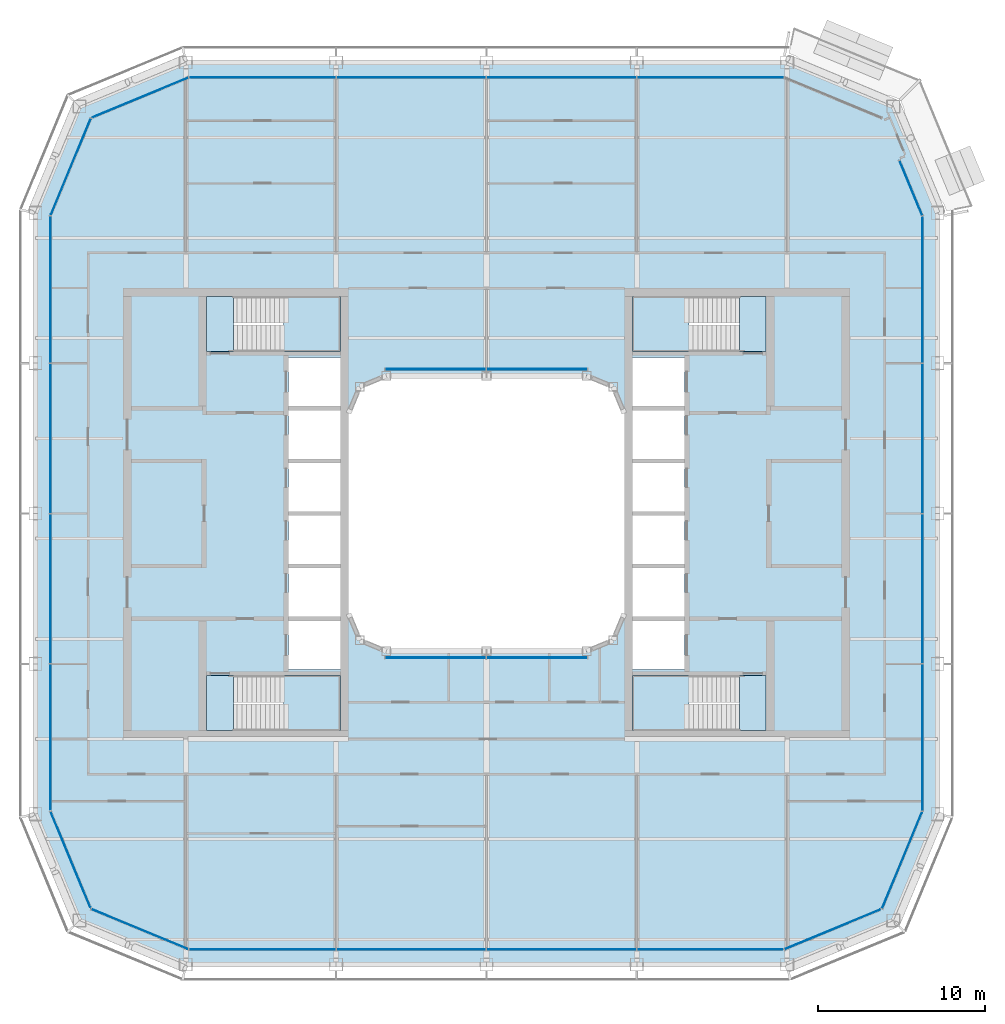
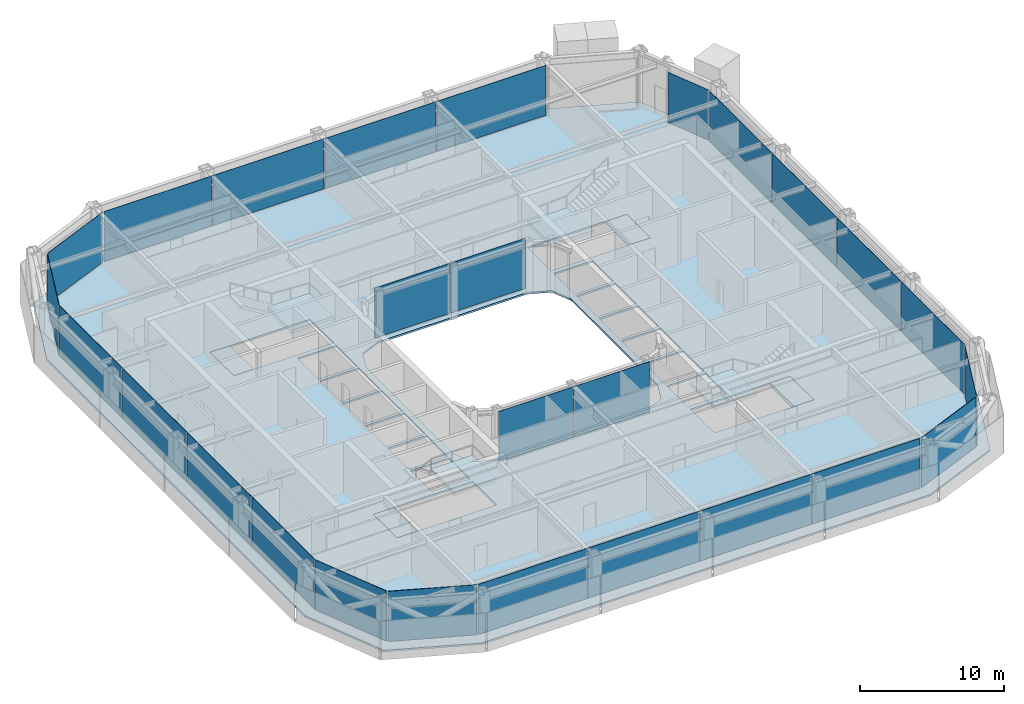
# One storey, part 11 of 23: 27 plates, 9 slabs, 17 elements without a shape of their own.
"""IFC4 building model written with IfcOpenShell, lengths in metres."""

from ifc_helpers import new_model, si_unit, direction, frame, origin, origin_2d, place, context, subcontext, project, spatial, polyline, rectangle, outline, extrude, material, layer, layer_set, type_object, element, aggregate, save


model = new_model("IFC4")

# Units and contexts
model_context = context("Model", 3, precision=1e-05, world=origin(), true_north=direction((0.0, 1.0)))
body_context = subcontext(model_context, "Body", "Model", "MODEL_VIEW")
ifc_project = project(units=[si_unit("LENGTHUNIT", "METRE"), si_unit("AREAUNIT", "SQUARE_METRE"), si_unit("VOLUMEUNIT", "CUBIC_METRE"), si_unit("PLANEANGLEUNIT", "RADIAN"), si_unit("MASSUNIT", "GRAM", prefix="KILO")], contexts=[model_context])

# Site, building, storey
site_placement = place(None, origin())
site = spatial("IfcSite", under=ifc_project, at=site_placement, CompositionType="ELEMENT")
building_placement = place(site_placement, origin())
building = spatial("IfcBuilding", under=site, at=building_placement, Name="Siwar Civic Tower", CompositionType="ELEMENT")
storey_placement = place(building_placement, frame((0.0, 0.0, 242.199951171875)))
storey = spatial("IfcBuildingStorey", under=building, at=storey_placement, Name="L52", CompositionType="ELEMENT", Elevation=242.199951171875)

# Stair, slabs
ifc_material_1 = material(Name="Concrete C40/50", Category="concrete")
stair_type = type_object("IfcStairType", Name="CORE-STAIR", PredefinedType="TWO_STRAIGHT_RUN_STAIR", material=ifc_material_1)
stair_1_placement = place(storey_placement, origin())
stair_1 = element("IfcStair", 1, at=stair_1_placement, inside=storey, type_object=stair_type, Name="Exit stair ST1", PredefinedType="TWO_STRAIGHT_RUN_STAIR")
ifc_material_2 = material(Name="Concrete C40/50", Category="concrete")
ifc_layer_1 = layer(ifc_material_2, 0.300048828125)
ifc_layer_set_1 = layer_set([ifc_layer_1], Name="Concrete C40/50")
slab_type_1 = type_object("IfcSlabType", Name="CORE-STAIR-LANDING", PredefinedType="LANDING", material=ifc_layer_set_1)
slab_1_placement = place(storey_placement, frame((0.0, 0.0, -0.300048828125)))
slab_1 = element("IfcSlab", 2, at=slab_1_placement, type_object=slab_type_1, Name="ST1 landing 1", PredefinedType="LANDING", context=body_context, shape_type="SweptSolid", body=[
    extrude(outline(polyline([(-15.14990234375, 13.0), (-16.75, 13.0), (-16.75, 9.699951171875), (-15.14990234375, 9.699951171875), (-15.14990234375, 13.0)])), origin(), (0.0, 0.0, 1.0), 0.300048828125),
])
slab_2_placement = place(storey_placement, frame((0.0, 0.0, 1.949951171875)))
slab_2 = element("IfcSlab", 3, at=slab_2_placement, type_object=slab_type_1, Name="ST1 landing 2", PredefinedType="LANDING", context=body_context, shape_type="SweptSolid", body=[
    extrude(outline(polyline([(-8.75, 13.0), (-12.139892578125, 13.0), (-12.139892578125, 9.699951171875), (-8.75, 9.699951171875), (-8.75, 13.0)])), origin(), (0.0, 0.0, 1.0), 0.300048828125),
])
aggregate(stair_1, [slab_1, slab_2])

stair_2_placement = place(storey_placement, origin())
stair_2 = element("IfcStair", 4, at=stair_2_placement, inside=storey, type_object=stair_type, Name="Exit stair ST2", PredefinedType="TWO_STRAIGHT_RUN_STAIR")
slab_3_placement = place(storey_placement, frame((0.0, 0.0, -0.300048828125)))
slab_3 = element("IfcSlab", 5, at=slab_3_placement, type_object=slab_type_1, Name="ST2 landing 1", PredefinedType="LANDING", context=body_context, shape_type="SweptSolid", body=[
    extrude(outline(polyline([(-15.14990234375, -9.699951171875), (-16.75, -9.699951171875), (-16.75, -13.0), (-15.14990234375, -13.0), (-15.14990234375, -9.699951171875)])), origin(), (0.0, 0.0, 1.0), 0.300048828125),
])
slab_4_placement = place(storey_placement, frame((0.0, 0.0, 1.949951171875)))
slab_4 = element("IfcSlab", 6, at=slab_4_placement, type_object=slab_type_1, Name="ST2 landing 2", PredefinedType="LANDING", context=body_context, shape_type="SweptSolid", body=[
    extrude(outline(polyline([(-8.75, -9.699951171875), (-12.139892578125, -9.699951171875), (-12.139892578125, -13.0), (-8.75, -13.0), (-8.75, -9.699951171875)])), origin(), (0.0, 0.0, 1.0), 0.300048828125),
])
aggregate(stair_2, [slab_3, slab_4])

stair_3_placement = place(storey_placement, origin())
stair_3 = element("IfcStair", 7, at=stair_3_placement, inside=storey, type_object=stair_type, Name="Exit stair ST3", PredefinedType="TWO_STRAIGHT_RUN_STAIR")
slab_5_placement = place(storey_placement, frame((0.0, 0.0, -0.300048828125)))
slab_5 = element("IfcSlab", 8, at=slab_5_placement, type_object=slab_type_1, Name="ST3 landing 1", PredefinedType="LANDING", context=body_context, shape_type="SweptSolid", body=[
    extrude(outline(polyline([(15.14990234375, 9.699951171875), (16.75, 9.699951171875), (16.75, 13.0), (15.14990234375, 13.0), (15.14990234375, 9.699951171875)])), origin(), (0.0, 0.0, 1.0), 0.300048828125),
])
slab_6_placement = place(storey_placement, frame((0.0, 0.0, 1.949951171875)))
slab_6 = element("IfcSlab", 9, at=slab_6_placement, type_object=slab_type_1, Name="ST3 landing 2", PredefinedType="LANDING", context=body_context, shape_type="SweptSolid", body=[
    extrude(outline(polyline([(8.75, 9.699951171875), (12.139892578125, 9.699951171875), (12.139892578125, 13.0), (8.75, 13.0), (8.75, 9.699951171875)])), origin(), (0.0, 0.0, 1.0), 0.300048828125),
])
aggregate(stair_3, [slab_5, slab_6])

stair_4_placement = place(storey_placement, origin())
stair_4 = element("IfcStair", 10, at=stair_4_placement, inside=storey, type_object=stair_type, Name="Exit stair ST4", PredefinedType="TWO_STRAIGHT_RUN_STAIR")
slab_7_placement = place(storey_placement, frame((0.0, 0.0, -0.300048828125)))
slab_7 = element("IfcSlab", 11, at=slab_7_placement, type_object=slab_type_1, Name="ST4 landing 1", PredefinedType="LANDING", context=body_context, shape_type="SweptSolid", body=[
    extrude(outline(polyline([(15.14990234375, -13.0), (16.75, -13.0), (16.75, -9.699951171875), (15.14990234375, -9.699951171875), (15.14990234375, -13.0)])), origin(), (0.0, 0.0, 1.0), 0.300048828125),
])
slab_8_placement = place(storey_placement, frame((0.0, 0.0, 1.949951171875)))
slab_8 = element("IfcSlab", 12, at=slab_8_placement, type_object=slab_type_1, Name="ST4 landing 2", PredefinedType="LANDING", context=body_context, shape_type="SweptSolid", body=[
    extrude(outline(polyline([(8.75, -13.0), (12.139892578125, -13.0), (12.139892578125, -9.699951171875), (8.75, -9.699951171875), (8.75, -13.0)])), origin(), (0.0, 0.0, 1.0), 0.300048828125),
])
aggregate(stair_4, [slab_7, slab_8])

# Curtain wall, plates
ifc_material_3 = material(Name="Aluminium and glass", Category="aluminium")
ifc_layer_2 = layer(ifc_material_3, 0.179931640625)
ifc_layer_set_2 = layer_set([ifc_layer_2], Name="Aluminium and glass")
curtain_wall_type_1 = type_object("IfcCurtainWallType", Name="ENV-CW-C", PredefinedType="NOTDEFINED", material=ifc_layer_set_2)
curtain_wall_1_placement = place(storey_placement, origin())
curtain_wall_1 = element("IfcCurtainWall", 13, at=curtain_wall_1_placement, inside=storey, type_object=curtain_wall_type_1, Name="Curtain wall C S", PredefinedType="NOTDEFINED")
ifc_material_4 = material(Name="Glass clear laminated", Category="glass")
ifc_layer_3 = layer(ifc_material_4, 0.031982421875)
ifc_layer_set_3 = layer_set([ifc_layer_3], Name="Glass clear laminated")
plate_type_1 = type_object("IfcPlateType", Name="ENV-PANEL-C", PredefinedType="CURTAIN_PANEL", material=ifc_layer_set_3)
plate_1_placement = place(storey_placement, frame((-13.410400390625, -26.10009765625, 0.10009765625), z_axis=(0.0, 0.0, 1.0), x_axis=(1.0, 0.0, 0.0)))
plate_1 = element("IfcPlate", 14, at=plate_1_placement, type_object=plate_type_1, Name="Curtain panel C S 1", PredefinedType="CURTAIN_PANEL", context=body_context, shape_type="SweptSolid", body=[
    extrude(rectangle(XDim=8.760986328125, YDim=0.031982421875, at=origin_2d()), origin(), (0.0, 0.0, 1.0), 4.25),
])
plate_2_placement = place(storey_placement, frame((-4.5, -26.10009765625, 0.10009765625), z_axis=(0.0, 0.0, 1.0), x_axis=(1.0, 0.0, 0.0)))
plate_2 = element("IfcPlate", 15, at=plate_2_placement, type_object=plate_type_1, Name="Curtain panel C S 2", PredefinedType="CURTAIN_PANEL", context=body_context, shape_type="SweptSolid", body=[
    extrude(rectangle(XDim=8.93994140625, YDim=0.031982421875, at=origin_2d()), origin(), (0.0, 0.0, 1.0), 4.25),
])
plate_3_placement = place(storey_placement, frame((4.5, -26.10009765625, 0.10009765625), z_axis=(0.0, 0.0, 1.0), x_axis=(1.0, 0.0, 0.0)))
plate_3 = element("IfcPlate", 16, at=plate_3_placement, type_object=plate_type_1, Name="Curtain panel C S 3", PredefinedType="CURTAIN_PANEL", context=body_context, shape_type="SweptSolid", body=[
    extrude(rectangle(XDim=8.93994140625, YDim=0.031982421875, at=origin_2d()), origin(), (0.0, 0.0, 1.0), 4.25),
])
plate_4_placement = place(storey_placement, frame((13.373046875, -26.10009765625, 0.10009765625), z_axis=(0.0, 0.0, 1.0), x_axis=(1.0, 0.0, 0.0)))
plate_4 = element("IfcPlate", 17, at=plate_4_placement, type_object=plate_type_1, Name="Curtain panel C S 4", PredefinedType="CURTAIN_PANEL", context=body_context, shape_type="SweptSolid", body=[
    extrude(rectangle(XDim=8.68603515625, YDim=0.031982421875, at=origin_2d()), origin(), (0.0, 0.0, 1.0), 4.25),
])
aggregate(curtain_wall_1, [plate_1, plate_2, plate_3, plate_4])

curtain_wall_2_placement = place(storey_placement, origin())
curtain_wall_2 = element("IfcCurtainWall", 18, at=curtain_wall_2_placement, inside=storey, type_object=curtain_wall_type_1, Name="Curtain wall C E", PredefinedType="NOTDEFINED")
plate_5_placement = place(storey_placement, frame((26.10009765625, -13.410400390625, 0.10009765625), z_axis=(0.0, 0.0, 1.0), x_axis=(0.0, 1.0, 0.0)))
plate_5 = element("IfcPlate", 19, at=plate_5_placement, type_object=plate_type_1, Name="Curtain panel C E 1", PredefinedType="CURTAIN_PANEL", context=body_context, shape_type="SweptSolid", body=[
    extrude(rectangle(XDim=8.760986328125, YDim=0.031982421875, at=origin_2d()), origin(), (0.0, 0.0, 1.0), 4.25),
])
plate_6_placement = place(storey_placement, frame((26.10009765625, -4.5, 0.10009765625), z_axis=(0.0, 0.0, 1.0), x_axis=(0.0, 1.0, 0.0)))
plate_6 = element("IfcPlate", 20, at=plate_6_placement, type_object=plate_type_1, Name="Curtain panel C E 2", PredefinedType="CURTAIN_PANEL", context=body_context, shape_type="SweptSolid", body=[
    extrude(rectangle(XDim=8.93994140625, YDim=0.031982421875, at=origin_2d()), origin(), (0.0, 0.0, 1.0), 4.25),
])
plate_7_placement = place(storey_placement, frame((26.10009765625, 4.5, 0.10009765625), z_axis=(0.0, 0.0, 1.0), x_axis=(0.0, 1.0, 0.0)))
plate_7 = element("IfcPlate", 21, at=plate_7_placement, type_object=plate_type_1, Name="Curtain panel C E 3", PredefinedType="CURTAIN_PANEL", context=body_context, shape_type="SweptSolid", body=[
    extrude(rectangle(XDim=8.93994140625, YDim=0.031982421875, at=origin_2d()), origin(), (0.0, 0.0, 1.0), 4.25),
])
plate_8_placement = place(storey_placement, frame((26.10009765625, 13.373046875, 0.10009765625), z_axis=(0.0, 0.0, 1.0), x_axis=(0.0, 1.0, 0.0)))
plate_8 = element("IfcPlate", 22, at=plate_8_placement, type_object=plate_type_1, Name="Curtain panel C E 4", PredefinedType="CURTAIN_PANEL", context=body_context, shape_type="SweptSolid", body=[
    extrude(rectangle(XDim=8.68603515625, YDim=0.031982421875, at=origin_2d()), origin(), (0.0, 0.0, 1.0), 4.25),
])
aggregate(curtain_wall_2, [plate_5, plate_6, plate_7, plate_8])

curtain_wall_3_placement = place(storey_placement, origin())
curtain_wall_3 = element("IfcCurtainWall", 23, at=curtain_wall_3_placement, inside=storey, type_object=curtain_wall_type_1, Name="Curtain wall C N", PredefinedType="NOTDEFINED")
plate_9_placement = place(storey_placement, frame((13.410400390625, 26.10009765625, 0.10009765625), z_axis=(0.0, 0.0, 1.0), x_axis=(-1.0, 0.0, 0.0)))
plate_9 = element("IfcPlate", 24, at=plate_9_placement, type_object=plate_type_1, Name="Curtain panel C N 1", PredefinedType="CURTAIN_PANEL", context=body_context, shape_type="SweptSolid", body=[
    extrude(rectangle(XDim=8.760986328125, YDim=0.031982421875, at=origin_2d()), origin(), (0.0, 0.0, 1.0), 4.25),
])
plate_10_placement = place(storey_placement, frame((4.5, 26.10009765625, 0.10009765625), z_axis=(0.0, 0.0, 1.0), x_axis=(-1.0, 0.0, 0.0)))
plate_10 = element("IfcPlate", 25, at=plate_10_placement, type_object=plate_type_1, Name="Curtain panel C N 2", PredefinedType="CURTAIN_PANEL", context=body_context, shape_type="SweptSolid", body=[
    extrude(rectangle(XDim=8.93994140625, YDim=0.031982421875, at=origin_2d()), origin(), (0.0, 0.0, 1.0), 4.25),
])
plate_11_placement = place(storey_placement, frame((-4.5, 26.10009765625, 0.10009765625), z_axis=(0.0, 0.0, 1.0), x_axis=(-1.0, 0.0, 0.0)))
plate_11 = element("IfcPlate", 26, at=plate_11_placement, type_object=plate_type_1, Name="Curtain panel C N 3", PredefinedType="CURTAIN_PANEL", context=body_context, shape_type="SweptSolid", body=[
    extrude(rectangle(XDim=8.93994140625, YDim=0.031982421875, at=origin_2d()), origin(), (0.0, 0.0, 1.0), 4.25),
])
plate_12_placement = place(storey_placement, frame((-13.373046875, 26.10009765625, 0.10009765625), z_axis=(0.0, 0.0, 1.0), x_axis=(-1.0, 0.0, 0.0)))
plate_12 = element("IfcPlate", 27, at=plate_12_placement, type_object=plate_type_1, Name="Curtain panel C N 4", PredefinedType="CURTAIN_PANEL", context=body_context, shape_type="SweptSolid", body=[
    extrude(rectangle(XDim=8.68603515625, YDim=0.031982421875, at=origin_2d()), origin(), (0.0, 0.0, 1.0), 4.25),
])
aggregate(curtain_wall_3, [plate_9, plate_10, plate_11, plate_12])

curtain_wall_4_placement = place(storey_placement, origin())
curtain_wall_4 = element("IfcCurtainWall", 28, at=curtain_wall_4_placement, inside=storey, type_object=curtain_wall_type_1, Name="Curtain wall C W", PredefinedType="NOTDEFINED")
plate_13_placement = place(storey_placement, frame((-26.10009765625, 13.410400390625, 0.10009765625), z_axis=(0.0, 0.0, 1.0), x_axis=(0.0, -1.0, 0.0)))
plate_13 = element("IfcPlate", 29, at=plate_13_placement, type_object=plate_type_1, Name="Curtain panel C W 1", PredefinedType="CURTAIN_PANEL", context=body_context, shape_type="SweptSolid", body=[
    extrude(rectangle(XDim=8.760986328125, YDim=0.031982421875, at=origin_2d()), origin(), (0.0, 0.0, 1.0), 4.25),
])
plate_14_placement = place(storey_placement, frame((-26.10009765625, 4.5, 0.10009765625), z_axis=(0.0, 0.0, 1.0), x_axis=(0.0, -1.0, 0.0)))
plate_14 = element("IfcPlate", 30, at=plate_14_placement, type_object=plate_type_1, Name="Curtain panel C W 2", PredefinedType="CURTAIN_PANEL", context=body_context, shape_type="SweptSolid", body=[
    extrude(rectangle(XDim=8.93994140625, YDim=0.031982421875, at=origin_2d()), origin(), (0.0, 0.0, 1.0), 4.25),
])
plate_15_placement = place(storey_placement, frame((-26.10009765625, -4.5, 0.10009765625), z_axis=(0.0, 0.0, 1.0), x_axis=(0.0, -1.0, 0.0)))
plate_15 = element("IfcPlate", 31, at=plate_15_placement, type_object=plate_type_1, Name="Curtain panel C W 3", PredefinedType="CURTAIN_PANEL", context=body_context, shape_type="SweptSolid", body=[
    extrude(rectangle(XDim=8.93994140625, YDim=0.031982421875, at=origin_2d()), origin(), (0.0, 0.0, 1.0), 4.25),
])
plate_16_placement = place(storey_placement, frame((-26.10009765625, -13.373046875, 0.10009765625), z_axis=(0.0, 0.0, 1.0), x_axis=(0.0, -1.0, 0.0)))
plate_16 = element("IfcPlate", 32, at=plate_16_placement, type_object=plate_type_1, Name="Curtain panel C W 4", PredefinedType="CURTAIN_PANEL", context=body_context, shape_type="SweptSolid", body=[
    extrude(rectangle(XDim=8.68603515625, YDim=0.031982421875, at=origin_2d()), origin(), (0.0, 0.0, 1.0), 4.25),
])
aggregate(curtain_wall_4, [plate_13, plate_14, plate_15, plate_16])

# Curtain wall, plate
ifc_material_5 = material(Name="Aluminium clad insulated panel", Category="aluminium")
ifc_layer_4 = layer(ifc_material_5, 0.179931640625)
ifc_layer_set_4 = layer_set([ifc_layer_4], Name="Aluminium clad insulated panel")
curtain_wall_type_2 = type_object("IfcCurtainWallType", Name="ENV-CW-CX", PredefinedType="NOTDEFINED", material=ifc_layer_set_4)
curtain_wall_5_placement = place(storey_placement, origin())
curtain_wall_5 = element("IfcCurtainWall", 33, at=curtain_wall_5_placement, inside=storey, type_object=curtain_wall_type_2, Name="Curtain wall C SE1", PredefinedType="NOTDEFINED")
ifc_material_6 = material(Name="Aluminium clad insulated panel", Category="aluminium")
ifc_layer_5 = layer(ifc_material_6, 0.031982421875)
ifc_layer_set_5 = layer_set([ifc_layer_5], Name="Aluminium clad insulated panel")
plate_type_2 = type_object("IfcPlateType", Name="ENV-PANEL-CX", PredefinedType="CURTAIN_PANEL", material=ifc_layer_set_5)
plate_17_placement = place(storey_placement, frame((20.71337890625, -24.90185546875, 0.10009765625), z_axis=(0.0, 0.0, 1.0), x_axis=(0.923879532511, 0.382683432365, 0.0)))
plate_17 = element("IfcPlate", 34, at=plate_17_placement, type_object=plate_type_2, Name="Curtain panel C SE1 1", PredefinedType="CURTAIN_PANEL", context=body_context, shape_type="SweptSolid", body=[
    extrude(rectangle(XDim=6.20166015625, YDim=0.031982421875, at=origin_2d()), origin(), (0.0, 0.0, 1.0), 4.25),
])
aggregate(curtain_wall_5, [plate_17])

curtain_wall_6_placement = place(storey_placement, origin())
curtain_wall_6 = element("IfcCurtainWall", 35, at=curtain_wall_6_placement, inside=storey, type_object=curtain_wall_type_2, Name="Curtain wall C SE2", PredefinedType="NOTDEFINED")
plate_18_placement = place(storey_placement, frame((24.873291015625, -20.78271484375, 0.10009765625), z_axis=(0.0, 0.0, 1.0), x_axis=(0.382683432365, 0.923879532511, 0.0)))
plate_18 = element("IfcPlate", 36, at=plate_18_placement, type_object=plate_type_2, Name="Curtain panel C SE2 1", PredefinedType="CURTAIN_PANEL", context=body_context, shape_type="SweptSolid", body=[
    extrude(rectangle(XDim=6.20166015625, YDim=0.031982421875, at=origin_2d()), origin(), (0.0, 0.0, 1.0), 4.25),
])
aggregate(curtain_wall_6, [plate_18])

curtain_wall_7_placement = place(storey_placement, origin())
curtain_wall_7 = element("IfcCurtainWall", 37, at=curtain_wall_7_placement, inside=storey, type_object=curtain_wall_type_2, Name="Curtain wall C NE1", PredefinedType="NOTDEFINED")
plate_19_placement = place(storey_placement, frame((25.40966796875, 19.4873046875, 0.10009765625), z_axis=(0.0, 0.0, 1.0), x_axis=(-0.382683432365, 0.923879532511, 0.0)))
plate_19 = element("IfcPlate", 38, at=plate_19_placement, type_object=plate_type_2, Name="Curtain panel C NE1 1", PredefinedType="CURTAIN_PANEL", context=body_context, shape_type="SweptSolid", body=[
    extrude(rectangle(XDim=3.54736328125, YDim=0.031982421875, at=origin_2d()), origin(), (0.0, 0.0, 1.0), 4.25),
])
aggregate(curtain_wall_7, [plate_19])

curtain_wall_8_placement = place(storey_placement, origin())
curtain_wall_8 = element("IfcCurtainWall", 39, at=curtain_wall_8_placement, inside=storey, type_object=curtain_wall_type_2, Name="Curtain wall C NW1", PredefinedType="NOTDEFINED")
plate_20_placement = place(storey_placement, frame((-20.71337890625, 24.90185546875, 0.10009765625), z_axis=(0.0, 0.0, 1.0), x_axis=(-0.923879532511, -0.382683432365, 0.0)))
plate_20 = element("IfcPlate", 40, at=plate_20_placement, type_object=plate_type_2, Name="Curtain panel C NW1 1", PredefinedType="CURTAIN_PANEL", context=body_context, shape_type="SweptSolid", body=[
    extrude(rectangle(XDim=6.20166015625, YDim=0.031982421875, at=origin_2d()), origin(), (0.0, 0.0, 1.0), 4.25),
])
aggregate(curtain_wall_8, [plate_20])

curtain_wall_9_placement = place(storey_placement, origin())
curtain_wall_9 = element("IfcCurtainWall", 41, at=curtain_wall_9_placement, inside=storey, type_object=curtain_wall_type_2, Name="Curtain wall C NW2", PredefinedType="NOTDEFINED")
plate_21_placement = place(storey_placement, frame((-24.873291015625, 20.78271484375, 0.10009765625), z_axis=(0.0, 0.0, 1.0), x_axis=(-0.382683432365, -0.923879532511, 0.0)))
plate_21 = element("IfcPlate", 42, at=plate_21_placement, type_object=plate_type_2, Name="Curtain panel C NW2 1", PredefinedType="CURTAIN_PANEL", context=body_context, shape_type="SweptSolid", body=[
    extrude(rectangle(XDim=6.20166015625, YDim=0.031982421875, at=origin_2d()), origin(), (0.0, 0.0, 1.0), 4.25),
])
aggregate(curtain_wall_9, [plate_21])

curtain_wall_10_placement = place(storey_placement, origin())
curtain_wall_10 = element("IfcCurtainWall", 43, at=curtain_wall_10_placement, inside=storey, type_object=curtain_wall_type_2, Name="Curtain wall C SW1", PredefinedType="NOTDEFINED")
plate_22_placement = place(storey_placement, frame((-24.90185546875, -20.71337890625, 0.10009765625), z_axis=(0.0, 0.0, 1.0), x_axis=(0.382683432365, -0.923879532511, 0.0)))
plate_22 = element("IfcPlate", 44, at=plate_22_placement, type_object=plate_type_2, Name="Curtain panel C SW1 1", PredefinedType="CURTAIN_PANEL", context=body_context, shape_type="SweptSolid", body=[
    extrude(rectangle(XDim=6.20166015625, YDim=0.031982421875, at=origin_2d()), origin(), (0.0, 0.0, 1.0), 4.25),
])
aggregate(curtain_wall_10, [plate_22])

curtain_wall_11_placement = place(storey_placement, origin())
curtain_wall_11 = element("IfcCurtainWall", 45, at=curtain_wall_11_placement, inside=storey, type_object=curtain_wall_type_2, Name="Curtain wall C SW2", PredefinedType="NOTDEFINED")
plate_23_placement = place(storey_placement, frame((-20.78271484375, -24.873291015625, 0.10009765625), z_axis=(0.0, 0.0, 1.0), x_axis=(0.923879532511, -0.382683432365, 0.0)))
plate_23 = element("IfcPlate", 46, at=plate_23_placement, type_object=plate_type_2, Name="Curtain panel C SW2 1", PredefinedType="CURTAIN_PANEL", context=body_context, shape_type="SweptSolid", body=[
    extrude(rectangle(XDim=6.20166015625, YDim=0.031982421875, at=origin_2d()), origin(), (0.0, 0.0, 1.0), 4.25),
])
aggregate(curtain_wall_11, [plate_23])

# Curtain wall, plates
ifc_material_7 = material(Name="Aluminium and glass", Category="aluminium")
ifc_layer_6 = layer(ifc_material_7, 0.179931640625)
ifc_layer_set_6 = layer_set([ifc_layer_6], Name="Aluminium and glass")
curtain_wall_type_3 = type_object("IfcCurtainWallType", Name="ENV-CW-W", PredefinedType="NOTDEFINED", material=ifc_layer_set_6)
curtain_wall_12_placement = place(storey_placement, origin())
curtain_wall_12 = element("IfcCurtainWall", 47, at=curtain_wall_12_placement, inside=storey, type_object=curtain_wall_type_3, Name="Curtain wall W WS", PredefinedType="NOTDEFINED")
ifc_material_8 = material(Name="Glass clear laminated", Category="glass")
ifc_layer_7 = layer(ifc_material_8, 0.031982421875)
ifc_layer_set_7 = layer_set([ifc_layer_7], Name="Glass clear laminated")
plate_type_3 = type_object("IfcPlateType", Name="ENV-PANEL-W", PredefinedType="CURTAIN_PANEL", material=ifc_layer_set_7)
plate_24_placement = place(storey_placement, frame((-3.038330078125, -8.635009765625, 0.10009765625), z_axis=(0.0, 0.0, 1.0), x_axis=(1.0, 0.0, 0.0)))
plate_24 = element("IfcPlate", 48, at=plate_24_placement, type_object=plate_type_3, Name="Curtain panel W WS 1", PredefinedType="CURTAIN_PANEL", context=body_context, shape_type="SweptSolid", body=[
    extrude(rectangle(XDim=6.0166015625, YDim=0.031982421875, at=origin_2d()), origin(), (0.0, 0.0, 1.0), 4.25),
])
plate_25_placement = place(storey_placement, frame((3.038330078125, -8.635009765625, 0.10009765625), z_axis=(0.0, 0.0, 1.0), x_axis=(1.0, 0.0, 0.0)))
plate_25 = element("IfcPlate", 49, at=plate_25_placement, type_object=plate_type_3, Name="Curtain panel W WS 2", PredefinedType="CURTAIN_PANEL", context=body_context, shape_type="SweptSolid", body=[
    extrude(rectangle(XDim=6.0166015625, YDim=0.031982421875, at=origin_2d()), origin(), (0.0, 0.0, 1.0), 4.25),
])
aggregate(curtain_wall_12, [plate_24, plate_25])

curtain_wall_13_placement = place(storey_placement, origin())
curtain_wall_13 = element("IfcCurtainWall", 50, at=curtain_wall_13_placement, inside=storey, type_object=curtain_wall_type_3, Name="Curtain wall W WN", PredefinedType="NOTDEFINED")
plate_26_placement = place(storey_placement, frame((3.038330078125, 8.635009765625, 0.10009765625), z_axis=(0.0, 0.0, 1.0), x_axis=(-1.0, 0.0, 0.0)))
plate_26 = element("IfcPlate", 51, at=plate_26_placement, type_object=plate_type_3, Name="Curtain panel W WN 1", PredefinedType="CURTAIN_PANEL", context=body_context, shape_type="SweptSolid", body=[
    extrude(rectangle(XDim=6.0166015625, YDim=0.031982421875, at=origin_2d()), origin(), (0.0, 0.0, 1.0), 4.25),
])
plate_27_placement = place(storey_placement, frame((-3.038330078125, 8.635009765625, 0.10009765625), z_axis=(0.0, 0.0, 1.0), x_axis=(-1.0, 0.0, 0.0)))
plate_27 = element("IfcPlate", 52, at=plate_27_placement, type_object=plate_type_3, Name="Curtain panel W WN 2", PredefinedType="CURTAIN_PANEL", context=body_context, shape_type="SweptSolid", body=[
    extrude(rectangle(XDim=6.0166015625, YDim=0.031982421875, at=origin_2d()), origin(), (0.0, 0.0, 1.0), 4.25),
])
aggregate(curtain_wall_13, [plate_26, plate_27])

# Slab
ifc_material_9 = material(Name="Concrete C40/50", Category="concrete")
ifc_layer_8 = layer(ifc_material_9, 0.14990234375)
ifc_layer_set_8 = layer_set([ifc_layer_8], Name="Concrete C40/50")
slab_type_2 = type_object("IfcSlabType", Name="STR-FLOOR-DECK-150", PredefinedType="FLOOR", material=ifc_layer_set_8)
slab_9_placement = place(storey_placement, frame((0.0, 0.0, -0.14990234375)))
element("IfcSlab", 53, at=slab_9_placement, inside=storey, type_object=slab_type_2, Name="L52/slab/1", PredefinedType="FLOOR", context=body_context, shape_type="SweptSolid", body=[
    extrude(outline(polyline([(-18.0, -27.0), (18.0, -27.0), (24.364013671875, -24.364013671875), (27.0, -18.0), (27.0, 18.0), (24.364013671875, 24.364013671875), (18.0, 27.0), (-18.0, 27.0), (-24.364013671875, 24.364013671875), (-27.0, 18.0), (-27.0, -18.0), (-24.364013671875, -24.364013671875), (-18.0, -27.0)]), holes=[polyline([(16.75, 13.0), (16.75, 9.699951171875), (8.75, 9.699951171875), (8.75, 13.0), (16.75, 13.0)]), polyline([(8.75, -9.699951171875), (16.75, -9.699951171875), (16.75, -13.0), (8.75, -13.0), (8.75, -9.699951171875)]), polyline([(11.85009765625, 9.324951171875), (11.85009765625, 6.425048828125), (8.75, 6.425048828125), (8.75, 9.324951171875), (11.85009765625, 9.324951171875)]), polyline([(8.75, 6.175048828125), (11.85009765625, 6.175048828125), (11.85009765625, 3.27490234375), (8.75, 3.27490234375), (8.75, 6.175048828125)]), polyline([(8.75, 3.02490234375), (11.85009765625, 3.02490234375), (11.85009765625, 0.125), (8.75, 0.125), (8.75, 3.02490234375)]), polyline([(8.75, -0.125), (11.85009765625, -0.125), (11.85009765625, -3.02490234375), (8.75, -3.02490234375), (8.75, -0.125)]), polyline([(8.75, -3.27490234375), (11.85009765625, -3.27490234375), (11.85009765625, -6.175048828125), (8.75, -6.175048828125), (8.75, -3.27490234375)]), polyline([(8.75, -6.425048828125), (11.85009765625, -6.425048828125), (11.85009765625, -9.324951171875), (8.75, -9.324951171875), (8.75, -6.425048828125)]), polyline([(-6.0, 8.25), (6.0, 8.25), (7.591064453125, 7.591064453125), (8.25, 6.0), (8.25, -6.0), (7.591064453125, -7.591064453125), (6.0, -8.25), (-6.0, -8.25), (-7.591064453125, -7.591064453125), (-8.25, -6.0), (-8.25, 6.0), (-7.591064453125, 7.591064453125), (-6.0, 8.25)]), polyline([(-8.75, -13.0), (-16.75, -13.0), (-16.75, -9.699951171875), (-8.75, -9.699951171875), (-8.75, -13.0)]), polyline([(-8.75, 9.699951171875), (-16.75, 9.699951171875), (-16.75, 13.0), (-8.75, 13.0), (-8.75, 9.699951171875)]), polyline([(-8.75, 6.425048828125), (-11.85009765625, 6.425048828125), (-11.85009765625, 9.324951171875), (-8.75, 9.324951171875), (-8.75, 6.425048828125)]), polyline([(-8.75, 3.27490234375), (-11.85009765625, 3.27490234375), (-11.85009765625, 6.175048828125), (-8.75, 6.175048828125), (-8.75, 3.27490234375)]), polyline([(-8.75, 0.125), (-11.85009765625, 0.125), (-11.85009765625, 3.02490234375), (-8.75, 3.02490234375), (-8.75, 0.125)]), polyline([(-8.75, -3.02490234375), (-11.85009765625, -3.02490234375), (-11.85009765625, -0.125), (-8.75, -0.125), (-8.75, -3.02490234375)]), polyline([(-8.75, -6.175048828125), (-11.85009765625, -6.175048828125), (-11.85009765625, -3.27490234375), (-8.75, -3.27490234375), (-8.75, -6.175048828125)]), polyline([(-8.75, -9.324951171875), (-11.85009765625, -9.324951171875), (-11.85009765625, -6.425048828125), (-8.75, -6.425048828125), (-8.75, -9.324951171875)])]), origin(), (0.0, 0.0, 1.0), 0.14990234375),
])

save(model, "model.ifc")
